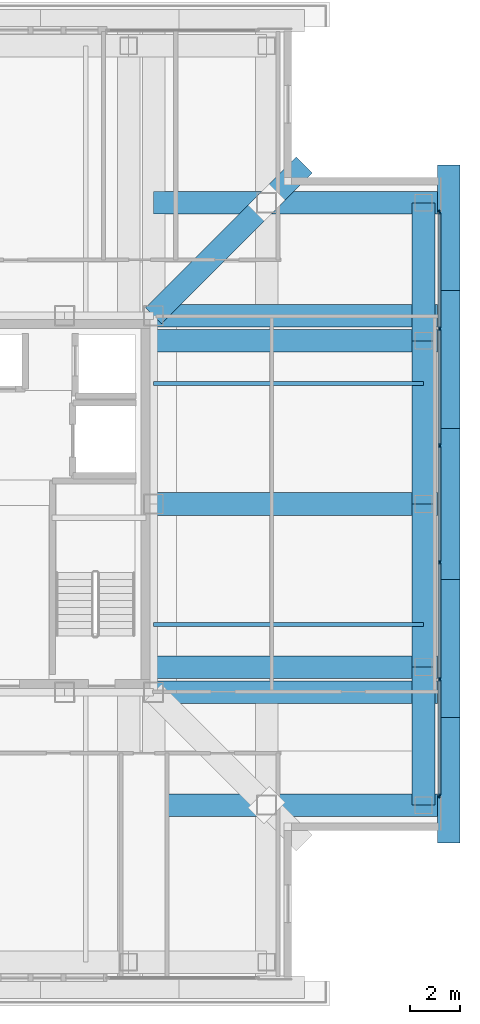
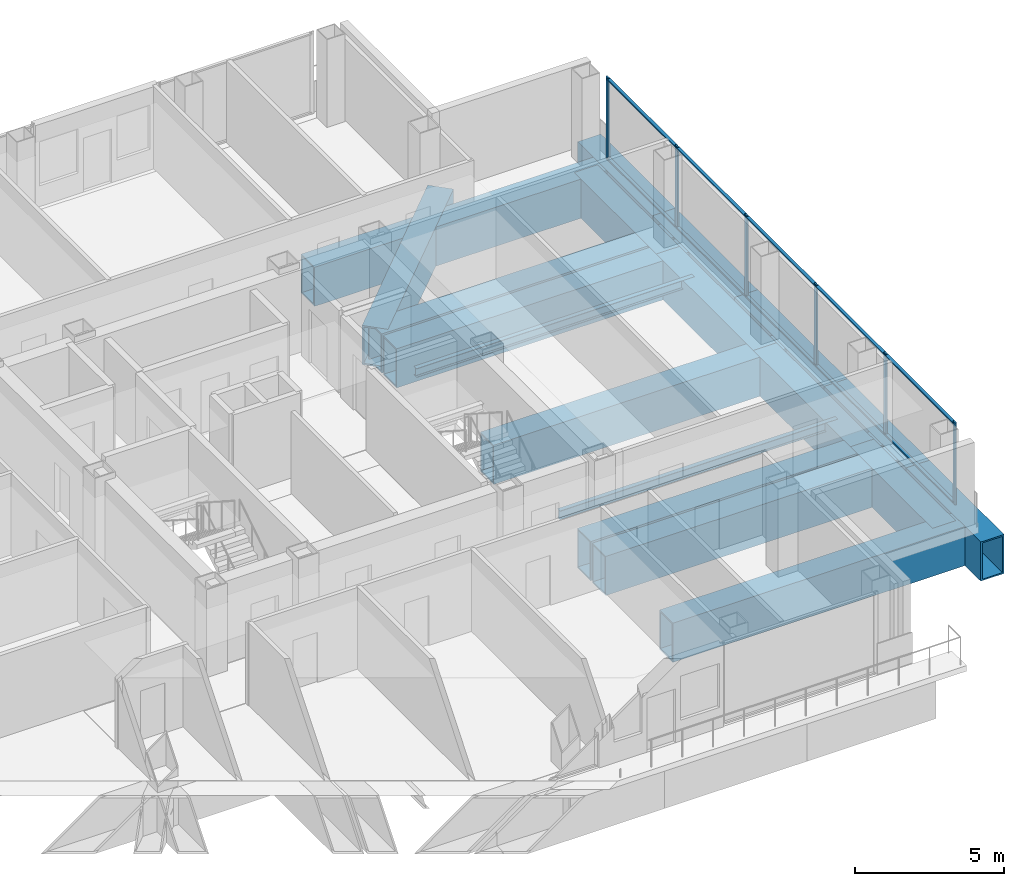
# One storey, part 5 of 15: 19 beams, 16 members, 1 element without a shape of its own.
"""IFC4 building model written with IfcOpenShell, lengths in metres."""

from ifc_helpers import new_model, si_unit, direction, frame, origin, origin_2d, place, context, subcontext, project, spatial, rectangle, hollow_rectangle, i_section, extrude, material, layer, layer_set, material_profile, profile_set, type_object, element, aggregate, save


model = new_model("IFC4")

# Units and contexts
model_context = context("Model", 3, precision=1e-05, world=origin(), true_north=direction((0.0, 1.0)))
body_context = subcontext(model_context, "Body", "Model", "MODEL_VIEW")
ifc_project = project(units=[si_unit("LENGTHUNIT", "METRE"), si_unit("AREAUNIT", "SQUARE_METRE"), si_unit("VOLUMEUNIT", "CUBIC_METRE"), si_unit("PLANEANGLEUNIT", "RADIAN"), si_unit("MASSUNIT", "GRAM", prefix="KILO")], contexts=[model_context])

# Site, building, storey
site_placement = place(None, origin())
site = spatial("IfcSite", under=ifc_project, at=site_placement, CompositionType="ELEMENT")
building_placement = place(site_placement, origin())
building = spatial("IfcBuilding", under=site, at=building_placement, Name="Trevonay Congress Spire", CompositionType="ELEMENT")
storey_placement = place(building_placement, frame((0.0, 0.0, 232.39990234375)))
storey = spatial("IfcBuildingStorey", under=building, at=storey_placement, Name="L60", CompositionType="ELEMENT", Elevation=232.39990234375)

# Beams
ifc_material_1 = material(Name="Steel ASTM A572 Grade 50", Category="steel")
ifc_material_profile_1 = material_profile(ifc_material_1, hollow_rectangle(XDim=0.89990234375, YDim=1.60009765625, WallThickness=0.06005859375, at=origin_2d()), Name="BOX 1600x900x60")
ifc_profile_set_1 = profile_set([ifc_material_profile_1], Name="Steel ASTM A572 Grade 50")
beam_type_1 = type_object("IfcBeamType", Name="BM-RING-BOX1600", PredefinedType="BEAM", material=ifc_profile_set_1)
beam_1_placement = place(storey_placement, frame((18.25, -12.0, -1.199951171875), z_axis=(0.0, 1.0, 0.0), x_axis=(-1.0, 0.0, 0.0)))
element("IfcBeam", 1, at=beam_1_placement, inside=storey, type_object=beam_type_1, Name="L60 structural beam BM-L60-PE1", PredefinedType="BEAM", context=body_context, shape_type="SweptSolid", body=[
    extrude(hollow_rectangle(XDim=0.89990234375, YDim=1.60009765625, WallThickness=0.06005859375, at=origin_2d()), origin(), (0.0, 0.0, 1.0), 5.5),
])
for number, where, z_axis, x_axis, name in (
    (2, (18.25, -6.5, -1.199951171875), (0.0, 1.0, 0.0), (-1.0, 0.0, 0.0), "L60 structural beam BM-L60-PE2"),
    (3, (18.25, 0.0, -1.199951171875), (0.0, 1.0, 0.0), (-1.0, 0.0, 0.0), "L60 structural beam BM-L60-PE3"),
):
    element("IfcBeam", number, at=place(storey_placement, frame(where, z_axis=z_axis, x_axis=x_axis)), inside=storey, type_object=beam_type_1, Name=name, PredefinedType="BEAM", context=body_context, shape_type="SweptSolid", body=[
        extrude(hollow_rectangle(XDim=0.89990234375, YDim=1.60009765625, WallThickness=0.06005859375, at=origin_2d()), origin(), (0.0, 0.0, 1.0), 6.5),
    ])
beam_2_placement = place(storey_placement, frame((18.25, 6.5, -1.199951171875), z_axis=(0.0, 1.0, 0.0), x_axis=(-1.0, 0.0, 0.0)))
element("IfcBeam", 4, at=beam_2_placement, inside=storey, type_object=beam_type_1, Name="L60 structural beam BM-L60-PE4", PredefinedType="BEAM", context=body_context, shape_type="SweptSolid", body=[
    extrude(hollow_rectangle(XDim=0.89990234375, YDim=1.60009765625, WallThickness=0.06005859375, at=origin_2d()), origin(), (0.0, 0.0, 1.0), 5.5),
])
beam_3_placement = place(storey_placement, frame((19.25, -13.5, -1.199951171875), z_axis=(0.0, 1.0, 0.0), x_axis=(-1.0, 0.0, 0.0)))
element("IfcBeam", 5, at=beam_3_placement, inside=storey, type_object=beam_type_1, Name="L60 structural beam XOUT-L60-E0", PredefinedType="BEAM", context=body_context, shape_type="SweptSolid", body=[
    extrude(hollow_rectangle(XDim=0.89990234375, YDim=1.60009765625, WallThickness=0.06005859375, at=origin_2d()), origin(), (0.0, 0.0, 1.0), 5.0),
])
beam_4_placement = place(storey_placement, frame((19.25, -8.5, -1.199951171875), z_axis=(0.0, 1.0, 0.0), x_axis=(-1.0, 0.0, 0.0)))
element("IfcBeam", 6, at=beam_4_placement, inside=storey, type_object=beam_type_1, Name="L60 structural beam XOUT-L60-E1", PredefinedType="BEAM", context=body_context, shape_type="SweptSolid", body=[
    extrude(hollow_rectangle(XDim=0.89990234375, YDim=1.60009765625, WallThickness=0.06005859375, at=origin_2d()), origin(), (0.0, 0.0, 1.0), 5.5),
])
beam_5_placement = place(storey_placement, frame((19.25, -3.0, -1.199951171875), z_axis=(0.0, 1.0, 0.0), x_axis=(-1.0, 0.0, 0.0)))
element("IfcBeam", 7, at=beam_5_placement, inside=storey, type_object=beam_type_1, Name="L60 structural beam XOUT-L60-E2", PredefinedType="BEAM", context=body_context, shape_type="SweptSolid", body=[
    extrude(hollow_rectangle(XDim=0.89990234375, YDim=1.60009765625, WallThickness=0.06005859375, at=origin_2d()), origin(), (0.0, 0.0, 1.0), 6.0),
])
beam_6_placement = place(storey_placement, frame((19.25, 3.0, -1.199951171875), z_axis=(0.0, 1.0, 0.0), x_axis=(-1.0, 0.0, 0.0)))
element("IfcBeam", 8, at=beam_6_placement, inside=storey, type_object=beam_type_1, Name="L60 structural beam XOUT-L60-E3", PredefinedType="BEAM", context=body_context, shape_type="SweptSolid", body=[
    extrude(hollow_rectangle(XDim=0.89990234375, YDim=1.60009765625, WallThickness=0.06005859375, at=origin_2d()), origin(), (0.0, 0.0, 1.0), 5.5),
])
beam_7_placement = place(storey_placement, frame((19.25, 8.5, -1.199951171875), z_axis=(0.0, 1.0, 0.0), x_axis=(-1.0, 0.0, 0.0)))
element("IfcBeam", 9, at=beam_7_placement, inside=storey, type_object=beam_type_1, Name="L60 structural beam XOUT-L60-E4", PredefinedType="BEAM", context=body_context, shape_type="SweptSolid", body=[
    extrude(hollow_rectangle(XDim=0.89990234375, YDim=1.60009765625, WallThickness=0.06005859375, at=origin_2d()), origin(), (0.0, 0.0, 1.0), 5.0),
])
ifc_material_profile_2 = material_profile(ifc_material_1, hollow_rectangle(XDim=0.89990234375, YDim=1.60009765625, WallThickness=0.06005859375, at=origin_2d()), Name="BOX 1600x900x60")
ifc_profile_set_2 = profile_set([ifc_material_profile_2], Name="Steel ASTM A572 Grade 50")
beam_type_2 = type_object("IfcBeamType", Name="BM-XFER-BOX1600", PredefinedType="BEAM", material=ifc_profile_set_2)
beam_8_placement = place(storey_placement, frame((7.5, 7.5, -1.199951171875), z_axis=(0.707106781187, 0.707106781187, 0.0), x_axis=(-0.707106781187, 0.707106781187, 0.0)))
element("IfcBeam", 10, at=beam_8_placement, inside=storey, type_object=beam_type_2, Name="L60 structural beam BM-L60-CDNE", PredefinedType="BEAM", context=body_context, shape_type="SweptSolid", body=[
    extrude(hollow_rectangle(XDim=0.89990234375, YDim=1.60009765625, WallThickness=0.06005859375, at=origin_2d()), origin(), (0.0, 0.0, 1.0), 8.4853515625),
])
for number, where, z_axis, x_axis, name in (
    (11, (7.5, -7.5, -1.199951171875), (1.0, 0.0, 0.0), (0.0, 1.0, 0.0), "L60 structural beam XSPN-L60-CX-SE"),
    (12, (7.5, 7.5, -1.199951171875), (1.0, 0.0, 0.0), (0.0, 1.0, 0.0), "L60 structural beam XSPN-L60-CX-NE"),
    (13, (7.5, -12.0, -1.199951171875), (1.0, 0.0, 0.0), (0.0, 1.0, 0.0), "L60 structural beam XFER-L60-E0"),
    (14, (7.5, -6.5, -1.199951171875), (1.0, 0.0, 0.0), (0.0, 1.0, 0.0), "L60 structural beam XFER-L60-E1"),
    (15, (7.5, 0.0, -1.199951171875), (1.0, 0.0, 0.0), (0.0, 1.0, 0.0), "L60 structural beam XFER-L60-E2"),
    (16, (7.5, 6.5, -1.199951171875), (1.0, 0.0, 0.0), (0.0, 1.0, 0.0), "L60 structural beam XFER-L60-E3"),
    (17, (7.5, 12.0, -1.199951171875), (1.0, 0.0, 0.0), (0.0, 1.0, 0.0), "L60 structural beam XFER-L60-E4"),
):
    element("IfcBeam", number, at=place(storey_placement, frame(where, z_axis=z_axis, x_axis=x_axis)), inside=storey, type_object=beam_type_2, Name=name, PredefinedType="BEAM", context=body_context, shape_type="SweptSolid", body=[
        extrude(hollow_rectangle(XDim=0.89990234375, YDim=1.60009765625, WallThickness=0.06005859375, at=origin_2d()), origin(), (0.0, 0.0, 1.0), 11.75),
    ])

# Curtain wall, members
ifc_material_2 = material(Name="Pale Anodised Aluminium EN AW-6063-T6", Category="aluminium")
ifc_layer = layer(ifc_material_2, 0.1650390625, Name="Pale Anodised Aluminium EN AW-6063-T6")
ifc_layer_set = layer_set([ifc_layer], Name="Pale Anodised Aluminium EN AW-6063-T6")
curtain_wall_type = type_object("IfcCurtainWallType", Name="CW-SYS05-DIPLOM-PALE-METAL", PredefinedType="NOTDEFINED", material=ifc_layer_set)
curtain_wall_placement = place(storey_placement, origin())
curtain_wall = element("IfcCurtainWall", 18, at=curtain_wall_placement, inside=storey, type_object=curtain_wall_type, Name="L60 E unitised curtain wall", PredefinedType="NOTDEFINED")
ifc_material_profile_3 = material_profile(ifc_material_2, rectangle(XDim=0.06005859375, YDim=0.159912109375, at=origin_2d()), Name="CW-MULLION-160-ALUMINIUM")
ifc_profile_set_3 = profile_set([ifc_material_profile_3], Name="Pale Anodised Aluminium EN AW-6063-T6")
member_type_1 = type_object("IfcMemberType", Name="CW-MULLION-160-ALUMINIUM", PredefinedType="MULLION", material=ifc_profile_set_3)
member_1_placement = place(storey_placement, frame((18.8798828125, -11.6201171875, 0.0), z_axis=(0.0, 0.0, 1.0), x_axis=(-1.0, 0.0, 0.0)))
member_1 = element("IfcMember", 19, at=member_1_placement, type_object=member_type_1, Name="CW05 mullion 1", PredefinedType="MULLION", context=body_context, shape_type="SweptSolid", body=[
    extrude(rectangle(XDim=0.06005859375, YDim=0.159912109375, at=origin_2d()), origin(), (0.0, 0.0, 1.0), 3.360107421875),
])
member_2_placement = place(storey_placement, frame((18.8798828125, -6.989990234375, 0.0), z_axis=(0.0, 0.0, 1.0), x_axis=(-1.0, 0.0, 0.0)))
member_2 = element("IfcMember", 20, at=member_2_placement, type_object=member_type_1, Name="CW05 mullion 2", PredefinedType="MULLION", context=body_context, shape_type="SweptSolid", body=[
    extrude(rectangle(XDim=0.06005859375, YDim=0.159912109375, at=origin_2d()), origin(), (0.0, 0.0, 1.0), 3.360107421875),
])
member_3_placement = place(storey_placement, frame((18.8798828125, -2.330078125, 0.0), z_axis=(0.0, 0.0, 1.0), x_axis=(-1.0, 0.0, 0.0)))
member_3 = element("IfcMember", 21, at=member_3_placement, type_object=member_type_1, Name="CW05 mullion 3", PredefinedType="MULLION", context=body_context, shape_type="SweptSolid", body=[
    extrude(rectangle(XDim=0.06005859375, YDim=0.159912109375, at=origin_2d()), origin(), (0.0, 0.0, 1.0), 3.360107421875),
])
member_4_placement = place(storey_placement, frame((18.8798828125, 2.330078125, 0.0), z_axis=(0.0, 0.0, 1.0), x_axis=(-1.0, 0.0, 0.0)))
member_4 = element("IfcMember", 22, at=member_4_placement, type_object=member_type_1, Name="CW05 mullion 4", PredefinedType="MULLION", context=body_context, shape_type="SweptSolid", body=[
    extrude(rectangle(XDim=0.06005859375, YDim=0.159912109375, at=origin_2d()), origin(), (0.0, 0.0, 1.0), 3.360107421875),
])
member_5_placement = place(storey_placement, frame((18.8798828125, 6.989990234375, 0.0), z_axis=(0.0, 0.0, 1.0), x_axis=(-1.0, 0.0, 0.0)))
member_5 = element("IfcMember", 23, at=member_5_placement, type_object=member_type_1, Name="CW05 mullion 5", PredefinedType="MULLION", context=body_context, shape_type="SweptSolid", body=[
    extrude(rectangle(XDim=0.06005859375, YDim=0.159912109375, at=origin_2d()), origin(), (0.0, 0.0, 1.0), 3.360107421875),
])
member_6_placement = place(storey_placement, frame((18.8798828125, 11.6201171875, 0.0), z_axis=(0.0, 0.0, 1.0), x_axis=(-1.0, 0.0, 0.0)))
member_6 = element("IfcMember", 24, at=member_6_placement, type_object=member_type_1, Name="CW05 mullion 6", PredefinedType="MULLION", context=body_context, shape_type="SweptSolid", body=[
    extrude(rectangle(XDim=0.06005859375, YDim=0.159912109375, at=origin_2d()), origin(), (0.0, 0.0, 1.0), 3.360107421875),
])
ifc_material_profile_4 = material_profile(ifc_material_2, rectangle(XDim=0.1201171875, YDim=0.06005859375, at=origin_2d()), Name="CW-TRANSOM-120-ALUMINIUM")
ifc_profile_set_4 = profile_set([ifc_material_profile_4], Name="Pale Anodised Aluminium EN AW-6063-T6")
member_type_2 = type_object("IfcMemberType", Name="CW-TRANSOM-120-ALUMINIUM", PredefinedType="USERDEFINED", material=ifc_profile_set_4)
member_7_placement = place(storey_placement, frame((18.8798828125, -11.590087890625, 0.06005859375), z_axis=(0.0, 1.0, 0.0), x_axis=(-1.0, 0.0, 0.0)))
member_7 = element("IfcMember", 25, at=member_7_placement, type_object=member_type_2, Name="CW05 transom 1.1", ObjectType="TRANSOM", PredefinedType="USERDEFINED", context=body_context, shape_type="SweptSolid", body=[
    extrude(rectangle(XDim=0.1201171875, YDim=0.06005859375, at=origin_2d()), origin(), (0.0, 0.0, 1.0), 4.570068359375),
])
member_8_placement = place(storey_placement, frame((18.8798828125, -11.590087890625, 3.300048828125), z_axis=(0.0, 1.0, 0.0), x_axis=(-1.0, 0.0, 0.0)))
member_8 = element("IfcMember", 26, at=member_8_placement, type_object=member_type_2, Name="CW05 transom 1.2", ObjectType="TRANSOM", PredefinedType="USERDEFINED", context=body_context, shape_type="SweptSolid", body=[
    extrude(rectangle(XDim=0.1201171875, YDim=0.06005859375, at=origin_2d()), origin(), (0.0, 0.0, 1.0), 4.570068359375),
])
member_9_placement = place(storey_placement, frame((18.8798828125, -6.9599609375, 0.06005859375), z_axis=(0.0, 1.0, 0.0), x_axis=(-1.0, 0.0, 0.0)))
member_9 = element("IfcMember", 27, at=member_9_placement, type_object=member_type_2, Name="CW05 transom 2.1", ObjectType="TRANSOM", PredefinedType="USERDEFINED", context=body_context, shape_type="SweptSolid", body=[
    extrude(rectangle(XDim=0.1201171875, YDim=0.06005859375, at=origin_2d()), origin(), (0.0, 0.0, 1.0), 4.599853515625),
])
member_10_placement = place(storey_placement, frame((18.8798828125, -6.9599609375, 3.300048828125), z_axis=(0.0, 1.0, 0.0), x_axis=(-1.0, 0.0, 0.0)))
member_10 = element("IfcMember", 28, at=member_10_placement, type_object=member_type_2, Name="CW05 transom 2.2", ObjectType="TRANSOM", PredefinedType="USERDEFINED", context=body_context, shape_type="SweptSolid", body=[
    extrude(rectangle(XDim=0.1201171875, YDim=0.06005859375, at=origin_2d()), origin(), (0.0, 0.0, 1.0), 4.599853515625),
])
member_11_placement = place(storey_placement, frame((18.8798828125, -2.300048828125, 0.06005859375), z_axis=(0.0, 1.0, 0.0), x_axis=(-1.0, 0.0, 0.0)))
member_11 = element("IfcMember", 29, at=member_11_placement, type_object=member_type_2, Name="CW05 transom 3.1", ObjectType="TRANSOM", PredefinedType="USERDEFINED", context=body_context, shape_type="SweptSolid", body=[
    extrude(rectangle(XDim=0.1201171875, YDim=0.06005859375, at=origin_2d()), origin(), (0.0, 0.0, 1.0), 4.60009765625),
])
member_12_placement = place(storey_placement, frame((18.8798828125, -2.300048828125, 3.300048828125), z_axis=(0.0, 1.0, 0.0), x_axis=(-1.0, 0.0, 0.0)))
member_12 = element("IfcMember", 30, at=member_12_placement, type_object=member_type_2, Name="CW05 transom 3.2", ObjectType="TRANSOM", PredefinedType="USERDEFINED", context=body_context, shape_type="SweptSolid", body=[
    extrude(rectangle(XDim=0.1201171875, YDim=0.06005859375, at=origin_2d()), origin(), (0.0, 0.0, 1.0), 4.60009765625),
])
member_13_placement = place(storey_placement, frame((18.8798828125, 2.360107421875, 0.06005859375), z_axis=(0.0, 1.0, 0.0), x_axis=(-1.0, 0.0, 0.0)))
member_13 = element("IfcMember", 31, at=member_13_placement, type_object=member_type_2, Name="CW05 transom 4.1", ObjectType="TRANSOM", PredefinedType="USERDEFINED", context=body_context, shape_type="SweptSolid", body=[
    extrude(rectangle(XDim=0.1201171875, YDim=0.06005859375, at=origin_2d()), origin(), (0.0, 0.0, 1.0), 4.599853515625),
])
member_14_placement = place(storey_placement, frame((18.8798828125, 2.360107421875, 3.300048828125), z_axis=(0.0, 1.0, 0.0), x_axis=(-1.0, 0.0, 0.0)))
member_14 = element("IfcMember", 32, at=member_14_placement, type_object=member_type_2, Name="CW05 transom 4.2", ObjectType="TRANSOM", PredefinedType="USERDEFINED", context=body_context, shape_type="SweptSolid", body=[
    extrude(rectangle(XDim=0.1201171875, YDim=0.06005859375, at=origin_2d()), origin(), (0.0, 0.0, 1.0), 4.599853515625),
])
member_15_placement = place(storey_placement, frame((18.8798828125, 7.02001953125, 0.06005859375), z_axis=(0.0, 1.0, 0.0), x_axis=(-1.0, 0.0, 0.0)))
member_15 = element("IfcMember", 33, at=member_15_placement, type_object=member_type_2, Name="CW05 transom 5.1", ObjectType="TRANSOM", PredefinedType="USERDEFINED", context=body_context, shape_type="SweptSolid", body=[
    extrude(rectangle(XDim=0.1201171875, YDim=0.06005859375, at=origin_2d()), origin(), (0.0, 0.0, 1.0), 4.570068359375),
])
member_16_placement = place(storey_placement, frame((18.8798828125, 7.02001953125, 3.300048828125), z_axis=(0.0, 1.0, 0.0), x_axis=(-1.0, 0.0, 0.0)))
member_16 = element("IfcMember", 34, at=member_16_placement, type_object=member_type_2, Name="CW05 transom 5.2", ObjectType="TRANSOM", PredefinedType="USERDEFINED", context=body_context, shape_type="SweptSolid", body=[
    extrude(rectangle(XDim=0.1201171875, YDim=0.06005859375, at=origin_2d()), origin(), (0.0, 0.0, 1.0), 4.570068359375),
])
aggregate(curtain_wall, [member_1, member_2, member_3, member_4, member_5, member_6, member_7, member_8, member_9, member_10, member_11, member_12, member_13, member_14, member_15, member_16])

# Beams
ifc_material_profile_5 = material_profile(ifc_material_1, i_section(OverallWidth=0.172119140625, OverallDepth=0.35791015625, WebThickness=0.0078125, FlangeThickness=0.01318359375, FilletRadius=0.011962890625, at=origin_2d()), Name="W360x57.8")
ifc_profile_set_5 = profile_set([ifc_material_profile_5], Name="Steel ASTM A572 Grade 50")
beam_type_3 = type_object("IfcBeamType", Name="JS-COMP-W360X57", PredefinedType="JOIST", material=ifc_profile_set_5)
for number, where, z_axis, x_axis, name in (
    (35, (7.5, -4.800048828125, -0.578857421875), (1.0, 0.0, 0.0), (0.0, 1.0, 0.0), "L60 structural beam JS-L60-EW-E1"),
    (36, (7.5, 4.800048828125, -0.578857421875), (1.0, 0.0, 0.0), (0.0, 1.0, 0.0), "L60 structural beam JS-L60-EW-E3"),
):
    element("IfcBeam", number, at=place(storey_placement, frame(where, z_axis=z_axis, x_axis=x_axis)), inside=storey, type_object=beam_type_3, Name=name, PredefinedType="JOIST", context=body_context, shape_type="SweptSolid", body=[
        extrude(i_section(OverallWidth=0.172119140625, OverallDepth=0.35791015625, WebThickness=0.0078125, FlangeThickness=0.01318359375, FilletRadius=0.011962890625, at=origin_2d()), origin(), (0.0, 0.0, 1.0), 10.75),
    ])

save(model, "model.ifc")
